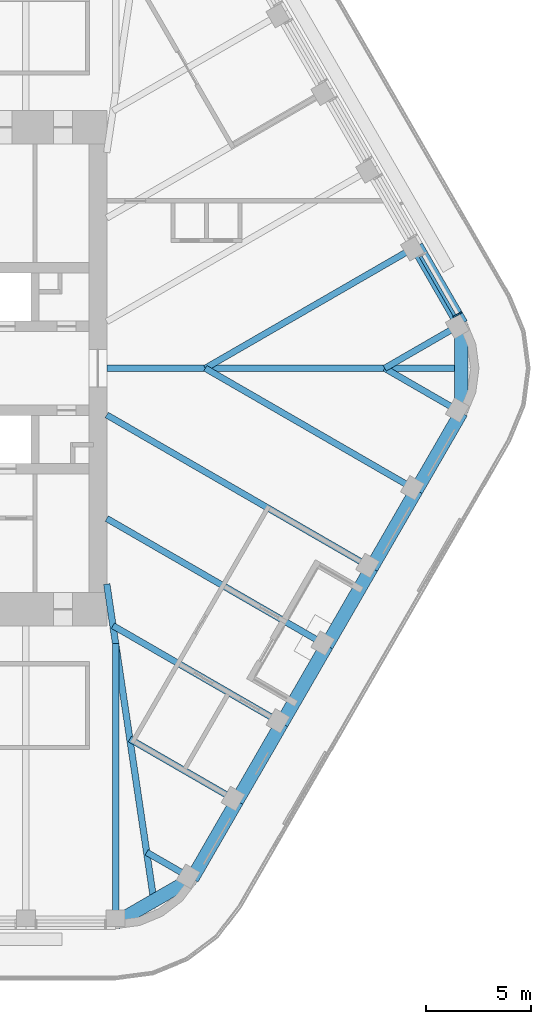
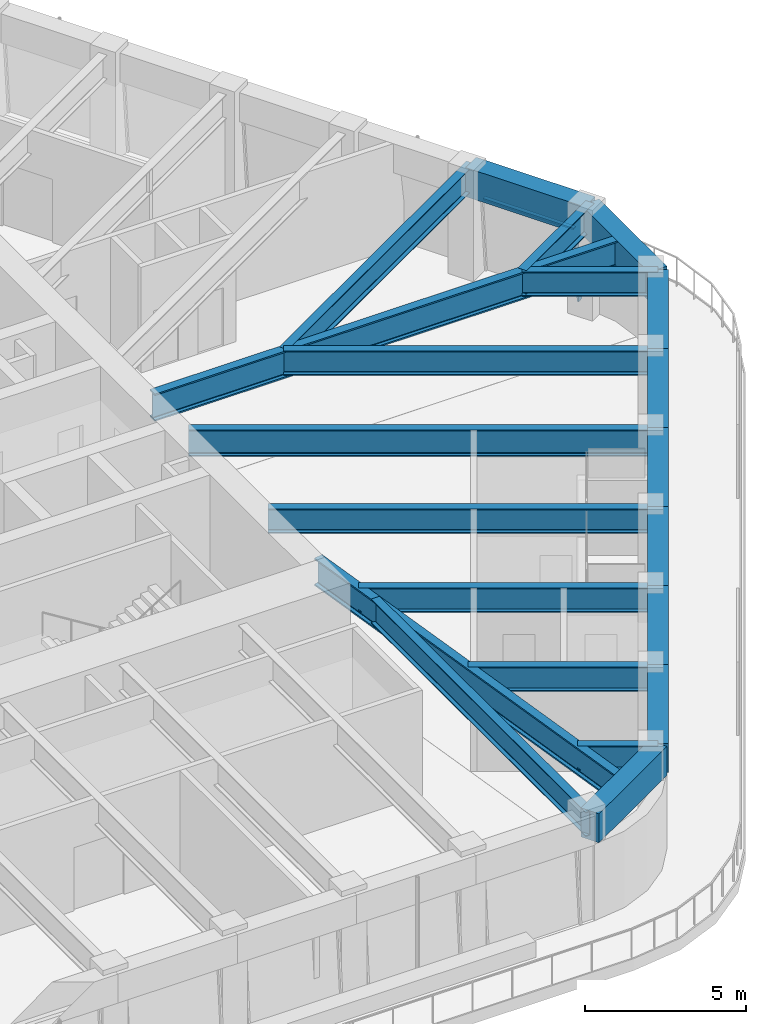
# One storey, part 5 of 19: 21 beams, 2 members, 1 element without a shape of its own.
"""IFC4 building model written with IfcOpenShell, lengths in metres."""

from ifc_helpers import new_model, si_unit, direction, frame, origin, origin_2d, place, context, subcontext, project, spatial, rectangle, i_section, extrude, material, material_profile, profile_set, type_object, element, aggregate, save


model = new_model("IFC4")

# Units and contexts
model_context = context("Model", 3, precision=1e-05, world=origin(), true_north=direction((0.0, 1.0)))
body_context = subcontext(model_context, "Body", "Model", "MODEL_VIEW")
ifc_project = project(units=[si_unit("LENGTHUNIT", "METRE"), si_unit("AREAUNIT", "SQUARE_METRE"), si_unit("VOLUMEUNIT", "CUBIC_METRE"), si_unit("PLANEANGLEUNIT", "RADIAN"), si_unit("MASSUNIT", "GRAM", prefix="KILO")], contexts=[model_context])

# Site, building, storey
site_placement = place(None, origin())
site = spatial("IfcSite", under=ifc_project, at=site_placement, CompositionType="ELEMENT")
building_placement = place(site_placement, origin())
building = spatial("IfcBuilding", under=site, at=building_placement, Name="Tarfa Lantern Tower", CompositionType="ELEMENT")
storey_placement = place(building_placement, frame((0.0, 0.0, 361.89990234375)))
storey = spatial("IfcBuildingStorey", under=building, at=storey_placement, Name="L82", CompositionType="ELEMENT", Elevation=361.89990234375)

# Curtain wall, members
ifc_material_1 = material(Name="Aluminium framed curtain wall", Category="aluminium")
curtain_wall_type = type_object("IfcCurtainWallType", Name="CW4 CANTED GLAZING EXECUTIVE ZONE 2900", PredefinedType="USERDEFINED", material=ifc_material_1)
curtain_wall_placement = place(storey_placement, origin())
curtain_wall = element("IfcCurtainWall", 1, at=curtain_wall_placement, inside=storey, type_object=curtain_wall_type, Name="CW4 NE L82", ObjectType="CURTAIN WALL", PredefinedType="USERDEFINED")
ifc_material_2 = material(Name="Aluminium mullion", Category="aluminium")
ifc_material_profile_1 = material_profile(ifc_material_2, rectangle(XDim=0.06494140625, YDim=0.199951171875, at=origin_2d()), Name="AL MULLION 65x200")
ifc_profile_set_1 = profile_set([ifc_material_profile_1], Name="Aluminium mullion")
member_type_1 = type_object("IfcMemberType", Name="CWM1 MULLION 65x200", PredefinedType="MULLION", material=ifc_profile_set_1)
member_1_placement = place(storey_placement, frame((29.26123046875, 2.617919921875, 0.0), z_axis=(-0.074310195522, -0.042942234884, 0.996310172238), x_axis=(0.500342721131, -0.865827443207, 0.0)))
member_1 = element("IfcMember", 2, at=member_1_placement, type_object=member_type_1, Name="CW4 mullion 1", PredefinedType="MULLION", context=body_context, shape_type="SweptSolid", body=[
    extrude(rectangle(XDim=0.06494140625, YDim=0.199951171875, at=origin_2d()), origin(), (0.0, 0.0, 1.0), 2.910888671875),
])
ifc_material_3 = material(Name="Aluminium transom", Category="aluminium")
ifc_material_profile_2 = material_profile(ifc_material_3, rectangle(XDim=0.14990234375, YDim=0.06494140625, at=origin_2d()), Name="AL TRANSOM 150x65")
ifc_profile_set_2 = profile_set([ifc_material_profile_2], Name="Aluminium transom")
member_type_2 = type_object("IfcMemberType", Name="CWT1 TRANSOM 150x65", PredefinedType="USERDEFINED", material=ifc_profile_set_2)
member_2_placement = place(storey_placement, frame((29.031005859375, 2.5224609375, 2.86767578125), z_axis=(-0.500014901547, 0.866016800201, 0.0), x_axis=(-0.866016800201, -0.500014901547, 0.0)))
member_2 = element("IfcMember", 3, at=member_2_placement, type_object=member_type_2, Name="CW4 transom 1.2", ObjectType="TRANSOM", PredefinedType="USERDEFINED", context=body_context, shape_type="SweptSolid", body=[
    extrude(rectangle(XDim=0.14990234375, YDim=0.06494140625, at=origin_2d()), origin(), (0.0, 0.0, 1.0), 3.251953125),
])
aggregate(curtain_wall, [member_1, member_2])

# Beams
ifc_material_4 = material(Name="Concrete C80/95", Category="concrete")
ifc_material_profile_3 = material_profile(ifc_material_4, rectangle(XDim=0.64990234375, YDim=1.10009765625, at=origin_2d()), Name="RC 650x1100")
ifc_profile_set_3 = profile_set([ifc_material_profile_3], Name="Concrete C80/95")
beam_type_1 = type_object("IfcBeamType", Name="EB4 RC 650x1100", PredefinedType="SPANDREL", material=ifc_profile_set_3)
beam_1_placement = place(storey_placement, frame((29.3466796875, 2.110107421875, 3.4501953125), z_axis=(-0.499984039138, 0.866034618596, 0.0), x_axis=(-0.866034618596, -0.499984039138, 0.0)))
element("IfcBeam", 4, at=beam_1_placement, inside=storey, type_object=beam_type_1, Name="Edge beam NE0", PredefinedType="SPANDREL", context=body_context, shape_type="SweptSolid", body=[
    extrude(rectangle(XDim=0.64990234375, YDim=1.10009765625, at=origin_2d()), origin(), (0.0, 0.0, 1.0), 4.281982421875),
])
beam_2_placement = place(storey_placement, frame((12.845947265625, -26.469970703125, 3.4501953125), z_axis=(0.866048788483, 0.499959494327, 0.0), x_axis=(-0.499959494327, 0.866048788483, 0.0)))
element("IfcBeam", 5, at=beam_2_placement, inside=storey, type_object=beam_type_1, Name="Edge beam S6", PredefinedType="SPANDREL", context=body_context, shape_type="SweptSolid", body=[
    extrude(rectangle(XDim=0.64990234375, YDim=1.10009765625, at=origin_2d()), origin(), (0.0, 0.0, 1.0), 4.219970703125),
])
for number, where, z_axis, x_axis, name in (
    (6, (16.500732421875, -24.360107421875, 3.4501953125), (0.499959351497, 0.866048870937, 0.0), (-0.866048870937, 0.499959351497, 0.0), "Edge beam SE0"),
    (7, (18.6416015625, -20.651611328125, 3.4501953125), (0.500026801138, 0.866009929587, 0.0), (-0.866009929587, 0.500026801138, 0.0), "Edge beam SE1"),
    (8, (20.78271484375, -16.943359375, 3.4501953125), (0.499984039138, 0.866034618596, 0.0), (-0.866034618596, 0.499984039138, 0.0), "Edge beam SE2"),
):
    element("IfcBeam", number, at=place(storey_placement, frame(where, z_axis=z_axis, x_axis=x_axis)), inside=storey, type_object=beam_type_1, Name=name, PredefinedType="SPANDREL", context=body_context, shape_type="SweptSolid", body=[
        extrude(rectangle(XDim=0.64990234375, YDim=1.10009765625, at=origin_2d()), origin(), (0.0, 0.0, 1.0), 4.281982421875),
    ])
beam_3_placement = place(storey_placement, frame((22.923583984375, -13.235107421875, 3.4501953125), z_axis=(0.500002112793, 0.866024183959, 0.0), x_axis=(-0.866024183959, 0.500002112793, 0.0)))
element("IfcBeam", 9, at=beam_3_placement, inside=storey, type_object=beam_type_1, Name="Edge beam SE3", PredefinedType="SPANDREL", context=body_context, shape_type="SweptSolid", body=[
    extrude(rectangle(XDim=0.64990234375, YDim=1.10009765625, at=origin_2d()), origin(), (0.0, 0.0, 1.0), 4.2822265625),
])
for number, where, z_axis, x_axis, name in (
    (10, (25.064697265625, -9.526611328125, 3.4501953125), (0.500026801138, 0.866009929587, 0.0), (-0.866009929587, 0.500026801138, 0.0), "Edge beam SE4"),
    (11, (27.205810546875, -5.818359375, 3.4501953125), (0.499984039138, 0.866034618596, 0.0), (-0.866034618596, 0.499984039138, 0.0), "Edge beam SE5"),
):
    element("IfcBeam", number, at=place(storey_placement, frame(where, z_axis=z_axis, x_axis=x_axis)), inside=storey, type_object=beam_type_1, Name=name, PredefinedType="SPANDREL", context=body_context, shape_type="SweptSolid", body=[
        extrude(rectangle(XDim=0.64990234375, YDim=1.10009765625, at=origin_2d()), origin(), (0.0, 0.0, 1.0), 4.281982421875),
    ])
beam_4_placement = place(storey_placement, frame((29.3466796875, -2.110107421875, 3.4501953125), z_axis=(0.0, 1.0, 0.0), x_axis=(-1.0, 0.0, 0.0)))
element("IfcBeam", 12, at=beam_4_placement, inside=storey, type_object=beam_type_1, Name="Edge beam SE6", PredefinedType="SPANDREL", context=body_context, shape_type="SweptSolid", body=[
    extrude(rectangle(XDim=0.64990234375, YDim=1.10009765625, at=origin_2d()), origin(), (0.0, 0.0, 1.0), 4.22021484375),
])
ifc_material_5 = material(Name="Steel S460M", Category="steel")
ifc_material_profile_4 = material_profile(ifc_material_5, i_section(OverallWidth=0.302001953125, OverallDepth=1.008056640625, WebThickness=0.02099609375, FlangeThickness=0.0400390625, FilletRadius=0.030029296875, at=origin_2d()), Name="UB1016x305x349")
ifc_profile_set_4 = profile_set([ifc_material_profile_4], Name="Steel S460M")
beam_type_2 = type_object("IfcBeamType", Name="UB1016x305x349", PredefinedType="BEAM", material=ifc_profile_set_4)
beam_5_placement = place(storey_placement, frame((25.064697265625, -9.526611328125, 3.49609375), z_axis=(-0.866029591389, 0.499992746786, 0.0), x_axis=(-0.499992746786, -0.866029591389, 0.0)))
element("IfcBeam", 13, at=beam_5_placement, inside=storey, type_object=beam_type_2, Name="Floor beam SE4", PredefinedType="BEAM", context=body_context, shape_type="SweptSolid", body=[
    extrude(i_section(OverallWidth=0.302001953125, OverallDepth=1.008056640625, WebThickness=0.02099609375, FlangeThickness=0.0400390625, FilletRadius=0.030029296875, at=origin_2d()), origin(), (0.0, 0.0, 1.0), 14.594970703125),
])
ifc_material_profile_5 = material_profile(ifc_material_5, i_section(OverallWidth=0.30859375, OverallDepth=1.036376953125, WebThickness=0.030029296875, FlangeThickness=0.05419921875, FilletRadius=0.030029296875, at=origin_2d()), Name="UB1016x305x487")
ifc_profile_set_5 = profile_set([ifc_material_profile_5], Name="Steel S460M")
beam_type_3 = type_object("IfcBeamType", Name="UB1016x305x487", PredefinedType="BEAM", material=ifc_profile_set_5)
beam_6_placement = place(storey_placement, frame((12.425048828125, 0.0, 3.48193359375), z_axis=(1.0, 0.0, 0.0), x_axis=(0.0, 1.0, 0.0)))
element("IfcBeam", 14, at=beam_6_placement, inside=storey, type_object=beam_type_3, Name="Hip girder E", PredefinedType="BEAM", context=body_context, shape_type="SweptSolid", body=[
    extrude(i_section(OverallWidth=0.30859375, OverallDepth=1.036376953125, WebThickness=0.030029296875, FlangeThickness=0.05419921875, FilletRadius=0.030029296875, at=origin_2d()), origin(), (0.0, 0.0, 1.0), 16.921630859375),
])
beam_7_placement = place(storey_placement, frame((12.425048828125, -10.300048828125, 3.48193359375), z_axis=(0.147127069073, -0.989117599452, 0.0), x_axis=(0.989117599452, 0.147127069073, 0.0)))
element("IfcBeam", 15, at=beam_7_placement, inside=storey, type_object=beam_type_3, Name="Hip girder SE", PredefinedType="BEAM", context=body_context, shape_type="SweptSolid", body=[
    extrude(i_section(OverallWidth=0.30859375, OverallDepth=1.036376953125, WebThickness=0.030029296875, FlangeThickness=0.05419921875, FilletRadius=0.030029296875, at=origin_2d()), origin(), (0.0, 0.0, 1.0), 15.28125),
])
ifc_material_profile_6 = material_profile(ifc_material_5, i_section(OverallWidth=0.305419921875, OverallDepth=0.91845703125, WebThickness=0.017333984375, FlangeThickness=0.02783203125, FilletRadius=0.01904296875, at=origin_2d()), Name="UB914x305x253")
ifc_profile_set_6 = profile_set([ifc_material_profile_6], Name="Steel S460M")
beam_type_4 = type_object("IfcBeamType", Name="UB914x305x253", PredefinedType="BEAM", material=ifc_profile_set_6)
beam_8_placement = place(storey_placement, frame((29.3466796875, 2.110107421875, 3.541015625), z_axis=(-0.866009274789, -0.500027935199, 0.0), x_axis=(0.500027935199, -0.866009274789, 0.0)))
element("IfcBeam", 16, at=beam_8_placement, inside=storey, type_object=beam_type_4, Name="Floor beam NE0", PredefinedType="BEAM", context=body_context, shape_type="SweptSolid", body=[
    extrude(i_section(OverallWidth=0.305419921875, OverallDepth=0.91845703125, WebThickness=0.017333984375, FlangeThickness=0.02783203125, FilletRadius=0.01904296875, at=origin_2d()), origin(), (0.0, 0.0, 1.0), 4.219970703125),
])
beam_9_placement = place(storey_placement, frame((27.205810546875, 5.818359375, 3.541015625), z_axis=(-0.866024171998, -0.500002133511, 0.0), x_axis=(0.500002133511, -0.866024171998, 0.0)))
element("IfcBeam", 17, at=beam_9_placement, inside=storey, type_object=beam_type_4, Name="Floor beam NE1", PredefinedType="BEAM", context=body_context, shape_type="SweptSolid", body=[
    extrude(i_section(OverallWidth=0.305419921875, OverallDepth=0.91845703125, WebThickness=0.017333984375, FlangeThickness=0.02783203125, FilletRadius=0.01904296875, at=origin_2d()), origin(), (0.0, 0.0, 1.0), 11.63671875),
])
beam_10_placement = place(storey_placement, frame((12.845947265625, -26.469970703125, 3.541015625), z_axis=(0.0, 1.0, 0.0), x_axis=(-1.0, 0.0, 0.0)))
element("IfcBeam", 18, at=beam_10_placement, inside=storey, type_object=beam_type_4, Name="Floor beam S6", PredefinedType="BEAM", context=body_context, shape_type="SweptSolid", body=[
    extrude(i_section(OverallWidth=0.305419921875, OverallDepth=0.91845703125, WebThickness=0.017333984375, FlangeThickness=0.02783203125, FilletRadius=0.01904296875, at=origin_2d()), origin(), (0.0, 0.0, 1.0), 13.33935546875),
])
beam_11_placement = place(storey_placement, frame((16.500732421875, -24.360107421875, 3.541015625), z_axis=(-0.865992557167, 0.500056887695, 0.0), x_axis=(-0.500056887695, -0.865992557167, 0.0)))
element("IfcBeam", 19, at=beam_11_placement, inside=storey, type_object=beam_type_4, Name="Floor beam SE0", PredefinedType="BEAM", context=body_context, shape_type="SweptSolid", body=[
    extrude(i_section(OverallWidth=0.305419921875, OverallDepth=0.91845703125, WebThickness=0.017333984375, FlangeThickness=0.02783203125, FilletRadius=0.01904296875, at=origin_2d()), origin(), (0.0, 0.0, 1.0), 2.506591796875),
])
beam_12_placement = place(storey_placement, frame((18.6416015625, -20.651611328125, 3.541015625), z_axis=(-0.866024549157, 0.500001480256, 0.0), x_axis=(-0.500001480256, -0.866024549157, 0.0)))
element("IfcBeam", 20, at=beam_12_placement, inside=storey, type_object=beam_type_4, Name="Floor beam SE1", PredefinedType="BEAM", context=body_context, shape_type="SweptSolid", body=[
    extrude(i_section(OverallWidth=0.305419921875, OverallDepth=0.91845703125, WebThickness=0.017333984375, FlangeThickness=0.02783203125, FilletRadius=0.01904296875, at=origin_2d()), origin(), (0.0, 0.0, 1.0), 5.90771484375),
])
beam_13_placement = place(storey_placement, frame((20.78271484375, -16.943359375, 3.541015625), z_axis=(-0.866021806508, 0.500006230613, 0.0), x_axis=(-0.500006230613, -0.866021806508, 0.0)))
element("IfcBeam", 21, at=beam_13_placement, inside=storey, type_object=beam_type_4, Name="Floor beam SE2", PredefinedType="BEAM", context=body_context, shape_type="SweptSolid", body=[
    extrude(i_section(OverallWidth=0.305419921875, OverallDepth=0.91845703125, WebThickness=0.017333984375, FlangeThickness=0.02783203125, FilletRadius=0.01904296875, at=origin_2d()), origin(), (0.0, 0.0, 1.0), 9.30908203125),
])
beam_14_placement = place(storey_placement, frame((22.923583984375, -13.235107421875, 3.541015625), z_axis=(-0.86601856927, 0.500011837539, 0.0), x_axis=(-0.500011837539, -0.86601856927, 0.0)))
element("IfcBeam", 22, at=beam_14_placement, inside=storey, type_object=beam_type_4, Name="Floor beam SE3", PredefinedType="BEAM", context=body_context, shape_type="SweptSolid", body=[
    extrude(i_section(OverallWidth=0.305419921875, OverallDepth=0.91845703125, WebThickness=0.017333984375, FlangeThickness=0.02783203125, FilletRadius=0.01904296875, at=origin_2d()), origin(), (0.0, 0.0, 1.0), 12.122802734375),
])
beam_15_placement = place(storey_placement, frame((27.205810546875, -5.818359375, 3.541015625), z_axis=(-0.866024171998, 0.500002133511, 0.0), x_axis=(-0.500002133511, -0.866024171998, 0.0)))
element("IfcBeam", 23, at=beam_15_placement, inside=storey, type_object=beam_type_4, Name="Floor beam SE5", PredefinedType="BEAM", context=body_context, shape_type="SweptSolid", body=[
    extrude(i_section(OverallWidth=0.305419921875, OverallDepth=0.91845703125, WebThickness=0.017333984375, FlangeThickness=0.02783203125, FilletRadius=0.01904296875, at=origin_2d()), origin(), (0.0, 0.0, 1.0), 11.63671875),
])
beam_16_placement = place(storey_placement, frame((29.3466796875, -2.110107421875, 3.541015625), z_axis=(-0.866009274789, 0.500027935199, 0.0), x_axis=(-0.500027935199, -0.866009274789, 0.0)))
element("IfcBeam", 24, at=beam_16_placement, inside=storey, type_object=beam_type_4, Name="Floor beam SE6", PredefinedType="BEAM", context=body_context, shape_type="SweptSolid", body=[
    extrude(i_section(OverallWidth=0.305419921875, OverallDepth=0.91845703125, WebThickness=0.017333984375, FlangeThickness=0.02783203125, FilletRadius=0.01904296875, at=origin_2d()), origin(), (0.0, 0.0, 1.0), 4.219970703125),
])

save(model, "model.ifc")
